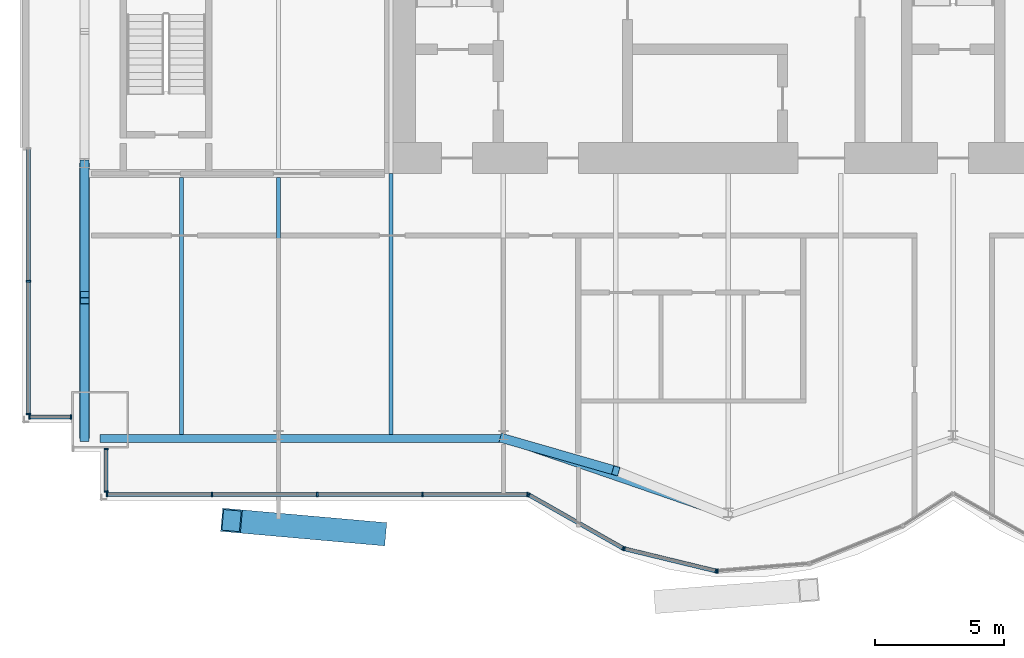
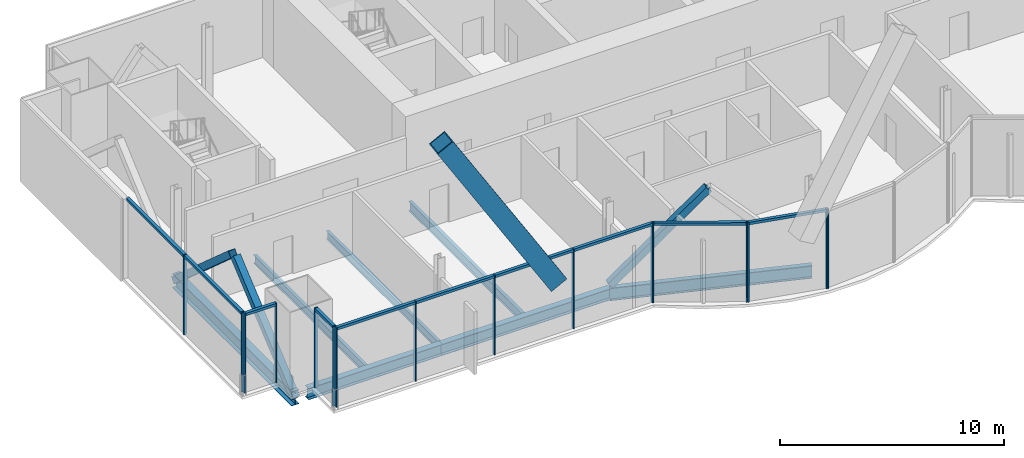
# One storey, part 5 of 19: 30 members, 7 beams, 5 elements without a shape of their own.
"""IFC4 building model written with IfcOpenShell, lengths in metres."""

from ifc_helpers import new_model, si_unit, direction, frame, origin, origin_2d, place, context, subcontext, project, spatial, rectangle, hollow_rectangle, i_section, extrude, material, material_profile, profile_set, type_object, element, aggregate, save


model = new_model("IFC4")

# Units and contexts
model_context = context("Model", 3, precision=1e-05, world=origin(), true_north=direction((0.0, 1.0)))
body_context = subcontext(model_context, "Body", "Model", "MODEL_VIEW")
ifc_project = project(units=[si_unit("LENGTHUNIT", "METRE"), si_unit("AREAUNIT", "SQUARE_METRE"), si_unit("VOLUMEUNIT", "CUBIC_METRE"), si_unit("PLANEANGLEUNIT", "RADIAN"), si_unit("MASSUNIT", "GRAM", prefix="KILO")], contexts=[model_context])

# Site, building, storey
site_placement = place(None, origin())
site = spatial("IfcSite", under=ifc_project, at=site_placement, CompositionType="ELEMENT")
building_placement = place(site_placement, origin())
building = spatial("IfcBuilding", under=site, at=building_placement, Name="Bicima Exchange Tower", CompositionType="ELEMENT")
storey_placement = place(building_placement, frame((0.0, 0.0, 324.5)))
storey = spatial("IfcBuildingStorey", under=building, at=storey_placement, Name="L73", CompositionType="ELEMENT", Elevation=324.5)

# Curtain wall, members
ifc_material_1 = material(Name="Anodised bronze aluminium", Category="aluminium")
curtain_wall_type_1 = type_object("IfcCurtainWallType", Name="End face glass wall", PredefinedType="NOTDEFINED", material=ifc_material_1)
curtain_wall_1_placement = place(storey_placement, origin())
curtain_wall_1 = element("IfcCurtainWall", 1, at=curtain_wall_1_placement, inside=storey, type_object=curtain_wall_type_1, Name="End face glass wall L73 run 2", PredefinedType="NOTDEFINED")
ifc_material_profile_1 = material_profile(ifc_material_1, rectangle(XDim=0.159912109375, YDim=0.06005859375, at=origin_2d()))
ifc_profile_set_1 = profile_set([ifc_material_profile_1], Name="Anodised bronze aluminium")
member_type_1 = type_object("IfcMemberType", Name="End face glass wall mullion 60 x 160", PredefinedType="MULLION", material=ifc_profile_set_1)
member_1_placement = place(storey_placement, frame((-35.77001953125, -17.1708984375, 0.0), z_axis=(0.0, 0.0, 1.0), x_axis=(1.0, 0.0, 0.0)))
member_1 = element("IfcMember", 2, at=member_1_placement, type_object=member_type_1, Name="End face glass wall mullion 2", PredefinedType="MULLION", context=body_context, shape_type="SweptSolid", body=[
    extrude(rectangle(XDim=0.159912109375, YDim=0.06005859375, at=origin_2d()), origin(), (0.0, 0.0, 1.0), 4.35009765625),
])
member_2_placement = place(storey_placement, frame((-35.77001953125, -22.31201171875, 0.0), z_axis=(0.0, 0.0, 1.0), x_axis=(1.0, 0.0, 0.0)))
member_2 = element("IfcMember", 3, at=member_2_placement, type_object=member_type_1, Name="End face glass wall mullion 3", PredefinedType="MULLION", context=body_context, shape_type="SweptSolid", body=[
    extrude(rectangle(XDim=0.159912109375, YDim=0.06005859375, at=origin_2d()), origin(), (0.0, 0.0, 1.0), 4.35009765625),
])
ifc_material_profile_2 = material_profile(ifc_material_1, rectangle(XDim=0.159912109375, YDim=0.139892578125, at=origin_2d()))
ifc_profile_set_2 = profile_set([ifc_material_profile_2], Name="Anodised bronze aluminium")
member_type_2 = type_object("IfcMemberType", Name="End face glass wall transom 140 x 160", PredefinedType="USERDEFINED", material=ifc_profile_set_2)
member_3_placement = place(storey_placement, frame((-35.77001953125, -12.06005859375, 4.280029296875), z_axis=(0.0, -1.0, 0.0), x_axis=(1.0, 0.0, 0.0)))
member_3 = element("IfcMember", 4, at=member_3_placement, type_object=member_type_2, Name="End face glass wall transom 1.1", ObjectType="TRANSOM", PredefinedType="USERDEFINED", context=body_context, shape_type="SweptSolid", body=[
    extrude(rectangle(XDim=0.159912109375, YDim=0.139892578125, at=origin_2d()), origin(), (0.0, 0.0, 1.0), 5.0810546875),
])
member_4_placement = place(storey_placement, frame((-35.77001953125, -17.200927734375, 4.280029296875), z_axis=(0.0, -1.0, 0.0), x_axis=(1.0, 0.0, 0.0)))
member_4 = element("IfcMember", 5, at=member_4_placement, type_object=member_type_2, Name="End face glass wall transom 2.1", ObjectType="TRANSOM", PredefinedType="USERDEFINED", context=body_context, shape_type="SweptSolid", body=[
    extrude(rectangle(XDim=0.159912109375, YDim=0.139892578125, at=origin_2d()), origin(), (0.0, 0.0, 1.0), 5.0810546875),
])
aggregate(curtain_wall_1, [member_1, member_2, member_3, member_4])

# Beam
ifc_material_2 = material(Name="Steel ASTM A992 Gr 50", Category="steel")
ifc_material_profile_3 = material_profile(ifc_material_2, i_section(OverallWidth=0.381103515625, OverallDepth=0.772216796875, WebThickness=0.0166015625, FlangeThickness=0.027099609375, at=origin_2d()))
ifc_profile_set_3 = profile_set([ifc_material_profile_3], Name="Steel ASTM A992 Gr 50")
beam_type_1 = type_object("IfcBeamType", Name="End girder W30x173", PredefinedType="BEAM", material=ifc_profile_set_3)
beam_1_placement = place(storey_placement, frame((-33.60009765625, -12.60009765625, -0.5361328125), z_axis=(0.0, -1.0, 0.0), x_axis=(1.0, 0.0, 0.0)))
element("IfcBeam", 6, at=beam_1_placement, inside=storey, type_object=beam_type_1, Name="End girder", PredefinedType="BEAM", context=body_context, shape_type="SweptSolid", body=[
    extrude(i_section(OverallWidth=0.381103515625, OverallDepth=0.772216796875, WebThickness=0.0166015625, FlangeThickness=0.027099609375, at=origin_2d()), origin(), (0.0, 0.0, 1.0), 10.65185546875),
])

# Member
ifc_material_3 = material(Name="Steel ASTM A572 Gr 50", Category="steel")
ifc_material_profile_4 = material_profile(ifc_material_3, hollow_rectangle(XDim=0.89990234375, YDim=0.89990234375, WallThickness=0.050048828125, at=origin_2d()))
ifc_profile_set_4 = profile_set([ifc_material_profile_4], Name="Steel ASTM A572 Gr 50")
member_type_3 = type_object("IfcMemberType", Name="Exo mega brace BOX 900x900x50", PredefinedType="BRACE", material=ifc_profile_set_4)
member_5_placement = place(storey_placement, frame((-22.333251953125, -26.926025390625, 4.166748046875), z_axis=(-0.520686487189, 0.046217471316, 0.852496057119), x_axis=(-0.088414952813, -0.996083729472, 0.0)))
element("IfcMember", 7, at=member_5_placement, inside=storey, type_object=member_type_3, Name="Exo mega brace front", PredefinedType="BRACE", context=body_context, shape_type="SweptSolid", body=[
    extrude(hollow_rectangle(XDim=0.89990234375, YDim=0.89990234375, WallThickness=0.050048828125, at=origin_2d()), origin(), (0.0, 0.0, 1.0), 10.723388671875),
])

# Beams
ifc_material_profile_5 = material_profile(ifc_material_2, i_section(OverallWidth=0.15283203125, OverallDepth=0.45458984375, WebThickness=0.008056640625, FlangeThickness=0.013427734375, at=origin_2d()))
ifc_profile_set_5 = profile_set([ifc_material_profile_5], Name="Steel ASTM A992 Gr 50")
beam_type_2 = type_object("IfcBeamType", Name="Floor beam W18x40", PredefinedType="JOIST", material=ifc_profile_set_5)
for number, where, z_axis, x_axis, name in (
    (8, (-29.85009765625, -13.15234375, -0.377197265625), (0.0, -1.0, 0.0), (1.0, 0.0, 0.0), "Floor beam"),
    (9, (-26.10009765625, -13.15234375, -0.377197265625), (0.0, -1.0, 0.0), (1.0, 0.0, 0.0), "Floor beam"),
):
    element("IfcBeam", number, at=place(storey_placement, frame(where, z_axis=z_axis, x_axis=x_axis)), inside=storey, type_object=beam_type_2, Name=name, PredefinedType="JOIST", context=body_context, shape_type="SweptSolid", body=[
        extrude(i_section(OverallWidth=0.15283203125, OverallDepth=0.45458984375, WebThickness=0.008056640625, FlangeThickness=0.013427734375, at=origin_2d()), origin(), (0.0, 0.0, 1.0), 9.93701171875),
    ])
ifc_material_profile_6 = material_profile(ifc_material_2, i_section(OverallWidth=0.165771484375, OverallDepth=0.5283203125, WebThickness=0.009765625, FlangeThickness=0.013671875, at=origin_2d()))
ifc_profile_set_6 = profile_set([ifc_material_profile_6], Name="Steel ASTM A992 Gr 50")
beam_type_3 = type_object("IfcBeamType", Name="Floor beam W21x50", PredefinedType="JOIST", material=ifc_profile_set_6)
beam_2_placement = place(storey_placement, frame((-21.75, -13.0, -0.414306640625), z_axis=(0.0, -1.0, 0.0), x_axis=(1.0, 0.0, 0.0)))
element("IfcBeam", 10, at=beam_2_placement, inside=storey, type_object=beam_type_3, Name="Floor beam", PredefinedType="JOIST", context=body_context, shape_type="SweptSolid", body=[
    extrude(i_section(OverallWidth=0.165771484375, OverallDepth=0.5283203125, WebThickness=0.009765625, FlangeThickness=0.013671875, at=origin_2d()), origin(), (0.0, 0.0, 1.0), 10.08935546875),
])
ifc_material_profile_7 = material_profile(ifc_material_2, i_section(OverallWidth=0.3251953125, OverallDepth=0.612060546875, WebThickness=0.0126953125, FlangeThickness=0.01904296875, at=origin_2d()))
ifc_profile_set_7 = profile_set([ifc_material_profile_7], Name="Steel ASTM A992 Gr 50")
beam_type_4 = type_object("IfcBeamType", Name="Front girder W24x104", PredefinedType="BEAM", material=ifc_profile_set_7)
beam_3_placement = place(storey_placement, frame((-33.0, -23.251953125, -0.4560546875), z_axis=(1.0, 0.0, 0.0), x_axis=(0.0, 1.0, 0.0)))
element("IfcBeam", 11, at=beam_3_placement, inside=storey, type_object=beam_type_4, Name="Front girder", PredefinedType="BEAM", context=body_context, shape_type="SweptSolid", body=[
    extrude(i_section(OverallWidth=0.3251953125, OverallDepth=0.612060546875, WebThickness=0.0126953125, FlangeThickness=0.01904296875, at=origin_2d()), origin(), (0.0, 0.0, 1.0), 6.89990234375),
])
beam_4_placement = place(storey_placement, frame((-26.10009765625, -23.251953125, -0.4560546875), z_axis=(1.0, 0.0, 0.0), x_axis=(0.0, 1.0, 0.0)))
element("IfcBeam", 12, at=beam_4_placement, inside=storey, type_object=beam_type_4, Name="Front girder", PredefinedType="BEAM", context=body_context, shape_type="SweptSolid", body=[
    extrude(i_section(OverallWidth=0.3251953125, OverallDepth=0.612060546875, WebThickness=0.0126953125, FlangeThickness=0.01904296875, at=origin_2d()), origin(), (0.0, 0.0, 1.0), 8.7001953125),
])
ifc_material_profile_8 = material_profile(ifc_material_2, i_section(OverallWidth=0.256591796875, OverallDepth=0.693359375, WebThickness=0.014404296875, FlangeThickness=0.023681640625, at=origin_2d()))
ifc_profile_set_8 = profile_set([ifc_material_profile_8], Name="Steel ASTM A992 Gr 50")
beam_type_5 = type_object("IfcBeamType", Name="Front girder W27x114", PredefinedType="BEAM", material=ifc_profile_set_8)
beam_5_placement = place(storey_placement, frame((-17.39990234375, -23.251953125, -0.49658203125), z_axis=(0.945666456746, -0.325138359143, 0.0), x_axis=(0.325138359143, 0.945666456746, 0.0)))
element("IfcBeam", 13, at=beam_5_placement, inside=storey, type_object=beam_type_5, Name="Front girder", PredefinedType="BEAM", context=body_context, shape_type="SweptSolid", body=[
    extrude(i_section(OverallWidth=0.256591796875, OverallDepth=0.693359375, WebThickness=0.014404296875, FlangeThickness=0.023681640625, at=origin_2d()), origin(), (0.0, 0.0, 1.0), 9.19970703125),
])

# Curtain wall, members
curtain_wall_type_2 = type_object("IfcCurtainWallType", Name="Front glass wall", PredefinedType="NOTDEFINED", material=ifc_material_1)
curtain_wall_2_placement = place(storey_placement, origin())
curtain_wall_2 = element("IfcCurtainWall", 14, at=curtain_wall_2_placement, inside=storey, type_object=curtain_wall_type_2, Name="Front glass wall L73 run 3", PredefinedType="NOTDEFINED")
member_type_4 = type_object("IfcMemberType", Name="Front glass wall mullion 60 x 160", PredefinedType="MULLION", material=ifc_profile_set_1)
member_6_placement = place(storey_placement, frame((-35.739990234375, -22.422119140625, 0.0), z_axis=(0.0, 0.0, 1.0), x_axis=(0.0, 1.0, 0.0)))
member_6 = element("IfcMember", 15, at=member_6_placement, type_object=member_type_4, Name="Front glass wall mullion 1", PredefinedType="MULLION", context=body_context, shape_type="SweptSolid", body=[
    extrude(rectangle(XDim=0.159912109375, YDim=0.06005859375, at=origin_2d()), origin(), (0.0, 0.0, 1.0), 4.35009765625),
])
member_7_placement = place(storey_placement, frame((-34.1298828125, -22.422119140625, 0.0), z_axis=(0.0, 0.0, 1.0), x_axis=(0.0, 1.0, 0.0)))
member_7 = element("IfcMember", 16, at=member_7_placement, type_object=member_type_4, Name="Front glass wall mullion 2", PredefinedType="MULLION", context=body_context, shape_type="SweptSolid", body=[
    extrude(rectangle(XDim=0.159912109375, YDim=0.06005859375, at=origin_2d()), origin(), (0.0, 0.0, 1.0), 4.35009765625),
])

curtain_wall_3_placement = place(storey_placement, origin())
curtain_wall_3 = element("IfcCurtainWall", 17, at=curtain_wall_3_placement, inside=storey, type_object=curtain_wall_type_2, Name="Front glass wall L73 run 4", PredefinedType="NOTDEFINED")
member_8_placement = place(storey_placement, frame((-32.77001953125, -23.659912109375, 0.0), z_axis=(0.0, 0.0, 1.0), x_axis=(1.0, 0.0, 0.0)))
member_8 = element("IfcMember", 18, at=member_8_placement, type_object=member_type_4, Name="Front glass wall mullion 1", PredefinedType="MULLION", context=body_context, shape_type="SweptSolid", body=[
    extrude(rectangle(XDim=0.159912109375, YDim=0.06005859375, at=origin_2d()), origin(), (0.0, 0.0, 1.0), 4.35009765625),
])
member_9_placement = place(storey_placement, frame((-32.77001953125, -25.31201171875, 0.0), z_axis=(0.0, 0.0, 1.0), x_axis=(1.0, 0.0, 0.0)))
member_9 = element("IfcMember", 19, at=member_9_placement, type_object=member_type_4, Name="Front glass wall mullion 2", PredefinedType="MULLION", context=body_context, shape_type="SweptSolid", body=[
    extrude(rectangle(XDim=0.159912109375, YDim=0.06005859375, at=origin_2d()), origin(), (0.0, 0.0, 1.0), 4.35009765625),
])

curtain_wall_4_placement = place(storey_placement, origin())
curtain_wall_4 = element("IfcCurtainWall", 20, at=curtain_wall_4_placement, inside=storey, type_object=curtain_wall_type_2, Name="Front glass wall L73 run 5", PredefinedType="NOTDEFINED")
member_10_placement = place(storey_placement, frame((-32.739990234375, -25.422119140625, 0.0), z_axis=(0.0, 0.0, 1.0), x_axis=(0.0, 1.0, 0.0)))
member_10 = element("IfcMember", 21, at=member_10_placement, type_object=member_type_4, Name="Front glass wall mullion 1", PredefinedType="MULLION", context=body_context, shape_type="SweptSolid", body=[
    extrude(rectangle(XDim=0.159912109375, YDim=0.06005859375, at=origin_2d()), origin(), (0.0, 0.0, 1.0), 4.35009765625),
])
member_11_placement = place(storey_placement, frame((-28.67041015625, -25.422119140625, 0.0), z_axis=(0.0, 0.0, 1.0), x_axis=(0.0, 1.0, 0.0)))
member_11 = element("IfcMember", 22, at=member_11_placement, type_object=member_type_4, Name="Front glass wall mullion 2", PredefinedType="MULLION", context=body_context, shape_type="SweptSolid", body=[
    extrude(rectangle(XDim=0.159912109375, YDim=0.06005859375, at=origin_2d()), origin(), (0.0, 0.0, 1.0), 4.35009765625),
])
member_12_placement = place(storey_placement, frame((-24.60107421875, -25.422119140625, 0.0), z_axis=(0.0, 0.0, 1.0), x_axis=(0.0, 1.0, 0.0)))
member_12 = element("IfcMember", 23, at=member_12_placement, type_object=member_type_4, Name="Front glass wall mullion 3", PredefinedType="MULLION", context=body_context, shape_type="SweptSolid", body=[
    extrude(rectangle(XDim=0.159912109375, YDim=0.06005859375, at=origin_2d()), origin(), (0.0, 0.0, 1.0), 4.35009765625),
])
member_13_placement = place(storey_placement, frame((-20.531494140625, -25.422119140625, 0.0), z_axis=(0.0, 0.0, 1.0), x_axis=(0.0, 1.0, 0.0)))
member_13 = element("IfcMember", 24, at=member_13_placement, type_object=member_type_4, Name="Front glass wall mullion 4", PredefinedType="MULLION", context=body_context, shape_type="SweptSolid", body=[
    extrude(rectangle(XDim=0.159912109375, YDim=0.06005859375, at=origin_2d()), origin(), (0.0, 0.0, 1.0), 4.35009765625),
])
member_14_placement = place(storey_placement, frame((-16.462158203125, -25.422119140625, 0.0), z_axis=(0.0, 0.0, 1.0), x_axis=(0.0, 1.0, 0.0)))
member_14 = element("IfcMember", 25, at=member_14_placement, type_object=member_type_4, Name="Front glass wall mullion 5", PredefinedType="MULLION", context=body_context, shape_type="SweptSolid", body=[
    extrude(rectangle(XDim=0.159912109375, YDim=0.06005859375, at=origin_2d()), origin(), (0.0, 0.0, 1.0), 4.35009765625),
])

curtain_wall_5_placement = place(storey_placement, origin())
curtain_wall_5 = element("IfcCurtainWall", 26, at=curtain_wall_5_placement, inside=storey, type_object=curtain_wall_type_2, Name="Front glass wall L73 run 6", PredefinedType="NOTDEFINED")
member_15_placement = place(storey_placement, frame((-16.406005859375, -25.436767578125, 0.0), z_axis=(0.0, 0.0, 1.0), x_axis=(0.493395449343, 0.869805110681, 0.0)))
member_15 = element("IfcMember", 27, at=member_15_placement, type_object=member_type_4, Name="Front glass wall mullion 1", PredefinedType="MULLION", context=body_context, shape_type="SweptSolid", body=[
    extrude(rectangle(XDim=0.159912109375, YDim=0.06005859375, at=origin_2d()), origin(), (0.0, 0.0, 1.0), 4.35009765625),
])
member_16_placement = place(storey_placement, frame((-12.7734375, -27.497314453125, 0.0), z_axis=(0.0, 0.0, 1.0), x_axis=(0.493395449343, 0.869805110681, 0.0)))
member_16 = element("IfcMember", 28, at=member_16_placement, type_object=member_type_4, Name="Front glass wall mullion 2", PredefinedType="MULLION", context=body_context, shape_type="SweptSolid", body=[
    extrude(rectangle(XDim=0.159912109375, YDim=0.06005859375, at=origin_2d()), origin(), (0.0, 0.0, 1.0), 4.35009765625),
])
member_17_placement = place(storey_placement, frame((-12.718017578125, -27.519287109375, 0.0), z_axis=(0.0, 0.0, 1.0), x_axis=(0.235681529503, 0.971830343553, 0.0)))
member_17 = element("IfcMember", 29, at=member_17_placement, type_object=member_type_4, Name="Front glass wall mullion 1", PredefinedType="MULLION", context=body_context, shape_type="SweptSolid", body=[
    extrude(rectangle(XDim=0.159912109375, YDim=0.06005859375, at=origin_2d()), origin(), (0.0, 0.0, 1.0), 4.35009765625),
])
member_18_placement = place(storey_placement, frame((-9.177490234375, -28.3779296875, 0.0), z_axis=(0.0, 0.0, 1.0), x_axis=(0.235681529503, 0.971830343553, 0.0)))
member_18 = element("IfcMember", 30, at=member_18_placement, type_object=member_type_4, Name="Front glass wall mullion 2", PredefinedType="MULLION", context=body_context, shape_type="SweptSolid", body=[
    extrude(rectangle(XDim=0.159912109375, YDim=0.06005859375, at=origin_2d()), origin(), (0.0, 0.0, 1.0), 4.35009765625),
])
member_19_placement = place(storey_placement, frame((-9.118408203125, -28.382568359375, 0.0), z_axis=(0.0, 0.0, 1.0), x_axis=(-0.080588612633, 0.99674744821, 0.0)))
member_19 = element("IfcMember", 31, at=member_19_placement, type_object=member_type_4, Name="Front glass wall mullion 1", PredefinedType="MULLION", context=body_context, shape_type="SweptSolid", body=[
    extrude(rectangle(XDim=0.159912109375, YDim=0.06005859375, at=origin_2d()), origin(), (0.0, 0.0, 1.0), 4.35009765625),
])

# Member
member_type_5 = type_object("IfcMemberType", Name="Front glass wall transom 140 x 160", PredefinedType="USERDEFINED", material=ifc_profile_set_2)
member_20_placement = place(storey_placement, frame((-35.7099609375, -22.422119140625, 4.280029296875), z_axis=(1.0, 0.0, 0.0), x_axis=(0.0, 1.0, 0.0)))
member_20 = element("IfcMember", 32, at=member_20_placement, type_object=member_type_5, Name="Front glass wall transom 1.1", ObjectType="TRANSOM", PredefinedType="USERDEFINED", context=body_context, shape_type="SweptSolid", body=[
    extrude(rectangle(XDim=0.159912109375, YDim=0.139892578125, at=origin_2d()), origin(), (0.0, 0.0, 1.0), 1.550048828125),
])

aggregate(curtain_wall_2, [member_6, member_7, member_20])

member_21_placement = place(storey_placement, frame((-32.77001953125, -23.68994140625, 4.280029296875), z_axis=(0.0, -1.0, 0.0), x_axis=(1.0, 0.0, 0.0)))
member_21 = element("IfcMember", 33, at=member_21_placement, type_object=member_type_5, Name="Front glass wall transom 1.1", ObjectType="TRANSOM", PredefinedType="USERDEFINED", context=body_context, shape_type="SweptSolid", body=[
    extrude(rectangle(XDim=0.159912109375, YDim=0.139892578125, at=origin_2d()), origin(), (0.0, 0.0, 1.0), 1.592041015625),
])

aggregate(curtain_wall_3, [member_8, member_9, member_21])

member_22_placement = place(storey_placement, frame((-32.7099609375, -25.422119140625, 4.280029296875), z_axis=(1.0, 0.0, 0.0), x_axis=(0.0, 1.0, 0.0)))
member_22 = element("IfcMember", 34, at=member_22_placement, type_object=member_type_5, Name="Front glass wall transom 1.1", ObjectType="TRANSOM", PredefinedType="USERDEFINED", context=body_context, shape_type="SweptSolid", body=[
    extrude(rectangle(XDim=0.159912109375, YDim=0.139892578125, at=origin_2d()), origin(), (0.0, 0.0, 1.0), 4.009521484375),
])

member_23_placement = place(storey_placement, frame((-28.640380859375, -25.422119140625, 4.280029296875), z_axis=(1.0, 0.0, 0.0), x_axis=(0.0, 1.0, 0.0)))
member_23 = element("IfcMember", 35, at=member_23_placement, type_object=member_type_5, Name="Front glass wall transom 2.1", ObjectType="TRANSOM", PredefinedType="USERDEFINED", context=body_context, shape_type="SweptSolid", body=[
    extrude(rectangle(XDim=0.159912109375, YDim=0.139892578125, at=origin_2d()), origin(), (0.0, 0.0, 1.0), 4.00927734375),
])

member_24_placement = place(storey_placement, frame((-24.571044921875, -25.422119140625, 4.280029296875), z_axis=(1.0, 0.0, 0.0), x_axis=(0.0, 1.0, 0.0)))
member_24 = element("IfcMember", 36, at=member_24_placement, type_object=member_type_5, Name="Front glass wall transom 3.1", ObjectType="TRANSOM", PredefinedType="USERDEFINED", context=body_context, shape_type="SweptSolid", body=[
    extrude(rectangle(XDim=0.159912109375, YDim=0.139892578125, at=origin_2d()), origin(), (0.0, 0.0, 1.0), 4.009521484375),
])

member_25_placement = place(storey_placement, frame((-20.501708984375, -25.422119140625, 4.280029296875), z_axis=(1.0, 0.0, 0.0), x_axis=(0.0, 1.0, 0.0)))
member_25 = element("IfcMember", 37, at=member_25_placement, type_object=member_type_5, Name="Front glass wall transom 4.1", ObjectType="TRANSOM", PredefinedType="USERDEFINED", context=body_context, shape_type="SweptSolid", body=[
    extrude(rectangle(XDim=0.159912109375, YDim=0.139892578125, at=origin_2d()), origin(), (0.0, 0.0, 1.0), 4.009521484375),
])

aggregate(curtain_wall_4, [member_10, member_11, member_12, member_13, member_14, member_22, member_23, member_24, member_25])

member_26_placement = place(storey_placement, frame((-16.3798828125, -25.45166015625, 4.280029296875), z_axis=(0.869797371721, -0.49340909208, 0.0), x_axis=(0.49340909208, 0.869797371721, 0.0)))
member_26 = element("IfcMember", 38, at=member_26_placement, type_object=member_type_5, Name="Front glass wall transom 1.1", ObjectType="TRANSOM", PredefinedType="USERDEFINED", context=body_context, shape_type="SweptSolid", body=[
    extrude(rectangle(XDim=0.159912109375, YDim=0.139892578125, at=origin_2d()), origin(), (0.0, 0.0, 1.0), 4.1162109375),
])

member_27_placement = place(storey_placement, frame((-12.68896484375, -27.5263671875, 4.280029296875), z_axis=(0.971833557815, -0.235668275132, 0.0), x_axis=(0.235668275132, 0.971833557815, 0.0)))
member_27 = element("IfcMember", 39, at=member_27_placement, type_object=member_type_5, Name="Front glass wall transom 1.1", ObjectType="TRANSOM", PredefinedType="USERDEFINED", context=body_context, shape_type="SweptSolid", body=[
    extrude(rectangle(XDim=0.159912109375, YDim=0.139892578125, at=origin_2d()), origin(), (0.0, 0.0, 1.0), 3.583251953125),
])

aggregate(curtain_wall_5, [member_15, member_16, member_26, member_17, member_18, member_27, member_19])

# Members
ifc_material_profile_9 = material_profile(ifc_material_3, hollow_rectangle(XDim=0.355712890625, YDim=0.355712890625, WallThickness=0.01171875, at=origin_2d()))
ifc_profile_set_9 = profile_set([ifc_material_profile_9], Name="Steel ASTM A572 Gr 50")
member_type_6 = type_object("IfcMemberType", Name="Mega brace HSS14x14x1/2", PredefinedType="BRACE", material=ifc_profile_set_9)
member_28_placement = place(storey_placement, frame((-17.39990234375, -23.251953125, 0.0), z_axis=(0.681519101026, -0.196074923492, 0.705043501718), x_axis=(0.27648739579, 0.961017544049, 0.0)))
element("IfcMember", 40, at=member_28_placement, inside=storey, type_object=member_type_6, Name="Mega brace front", PredefinedType="BRACE", context=body_context, shape_type="SweptSolid", body=[
    extrude(hollow_rectangle(XDim=0.355712890625, YDim=0.355712890625, WallThickness=0.01171875, at=origin_2d()), origin(), (0.0, 0.0, 1.0), 6.382568359375),
])
member_29_placement = place(storey_placement, frame((-33.60009765625, -12.60009765625, -0.5361328125), z_axis=(0.0, -0.748662134169, 0.662951739467), x_axis=(1.0, 0.0, 0.0)))
element("IfcMember", 41, at=member_29_placement, inside=storey, type_object=member_type_6, Name="Mega brace west end", PredefinedType="BRACE", context=body_context, shape_type="SweptSolid", body=[
    extrude(hollow_rectangle(XDim=0.355712890625, YDim=0.355712890625, WallThickness=0.01171875, at=origin_2d()), origin(), (0.0, 0.0, 1.0), 6.787841796875),
])
member_30_placement = place(storey_placement, frame((-33.60009765625, -23.251953125, -0.5361328125), z_axis=(0.0, 0.76384961339, 0.64539427339), x_axis=(-1.0, 0.0, 0.0)))
element("IfcMember", 42, at=member_30_placement, inside=storey, type_object=member_type_6, Name="Mega brace west end", PredefinedType="BRACE", context=body_context, shape_type="SweptSolid", body=[
    extrude(hollow_rectangle(XDim=0.355712890625, YDim=0.355712890625, WallThickness=0.01171875, at=origin_2d()), origin(), (0.0, 0.0, 1.0), 6.972412109375),
])

save(model, "model.ifc")
